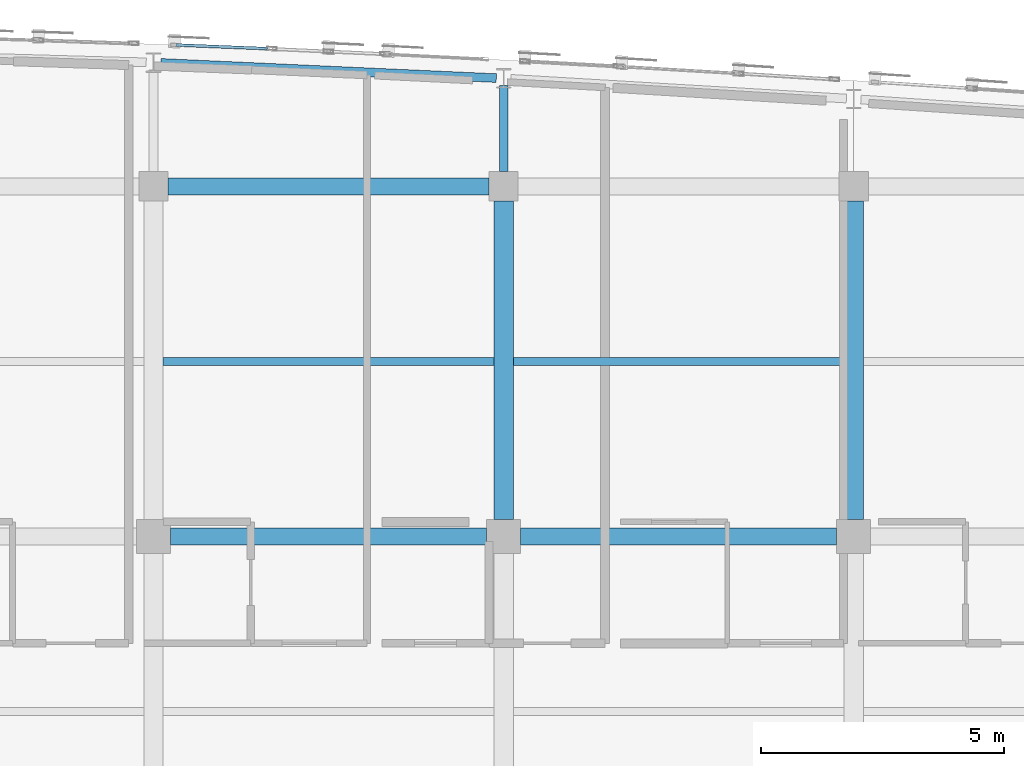
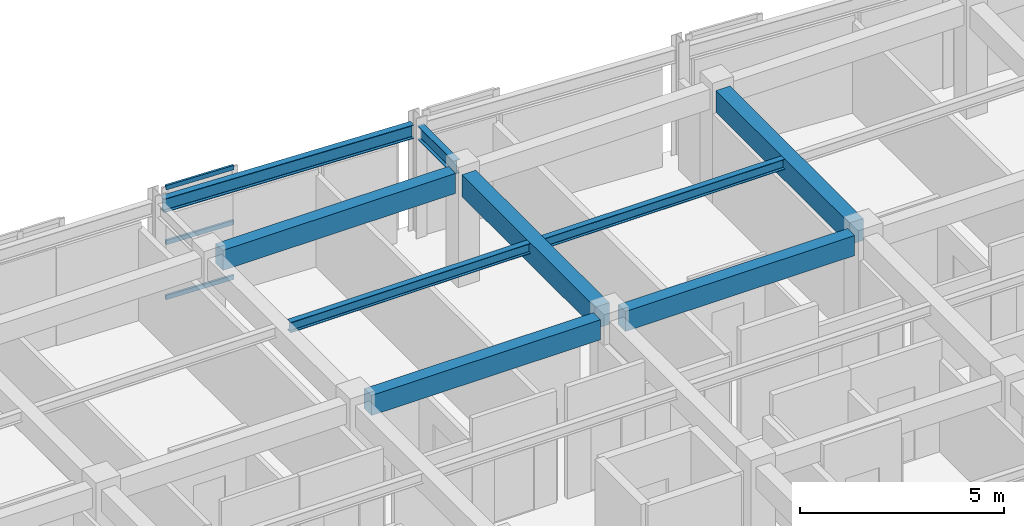
# One storey, part 31 of 73: 9 beams, 3 members, 1 element without a shape of its own.
"""IFC4 building model written with IfcOpenShell, lengths in metres."""

from ifc_helpers import new_model, si_unit, direction, frame, origin, origin_2d, place, context, subcontext, project, spatial, rectangle, hollow_rectangle, i_section, extrude, material, layer, layer_set, material_profile, profile_set, type_object, element, aggregate, save


model = new_model("IFC4")

# Units and contexts
model_context = context("Model", 3, precision=1e-05, world=origin(), true_north=direction((0.0, 1.0)))
body_context = subcontext(model_context, "Body", "Model", "MODEL_VIEW")
ifc_project = project(units=[si_unit("LENGTHUNIT", "METRE"), si_unit("AREAUNIT", "SQUARE_METRE"), si_unit("VOLUMEUNIT", "CUBIC_METRE"), si_unit("PLANEANGLEUNIT", "RADIAN"), si_unit("MASSUNIT", "GRAM", prefix="KILO")], contexts=[model_context])

# Site, building, storey
site_placement = place(None, origin())
site = spatial("IfcSite", under=ifc_project, at=site_placement, CompositionType="ELEMENT")
building_placement = place(site_placement, origin())
building = spatial("IfcBuilding", under=site, at=building_placement, Name="Carrowvane Square Congress Hotel", CompositionType="ELEMENT")
storey_placement = place(building_placement, frame((0.0, 0.0, 19.199951171875)))
storey = spatial("IfcBuildingStorey", under=building, at=storey_placement, Name="L04", CompositionType="ELEMENT", Elevation=19.199951171875)

# Beams
ifc_material_1 = material(Name="Concrete C35/45", Category="concrete")
ifc_material_profile_1 = material_profile(ifc_material_1, rectangle(XDim=0.35009765625, YDim=0.60009765625, at=origin_2d()), Name="RC 350x600")
ifc_profile_set_1 = profile_set([ifc_material_profile_1], Name="Concrete C35/45")
beam_type_1 = type_object("IfcBeamType", Name="BM-RC-350x600", PredefinedType="BEAM", material=ifc_profile_set_1)
for number, where, z_axis, x_axis, name in (
    (1, (112.75, 106.199951171875, 3.050048828125), (1.0, 0.0, 0.0), (0.0, 1.0, 0.0), "L05 girder Q/15-16"),
    (2, (119.949951171875, 106.199951171875, 3.050048828125), (1.0, 0.0, 0.0), (0.0, 1.0, 0.0), "L05 girder Q/16-17"),
):
    element("IfcBeam", number, at=place(storey_placement, frame(where, z_axis=z_axis, x_axis=x_axis)), inside=storey, type_object=beam_type_1, Name=name, PredefinedType="BEAM", context=body_context, shape_type="SweptSolid", body=[
        extrude(rectangle(XDim=0.35009765625, YDim=0.60009765625, at=origin_2d()), origin(), (0.0, 0.0, 1.0), 6.5),
    ])
beam_1_placement = place(storey_placement, frame((112.699951171875, 113.39990234375, 3.050048828125), z_axis=(1.0, 0.0, 0.0), x_axis=(0.0, 1.0, 0.0)))
element("IfcBeam", 3, at=beam_1_placement, inside=storey, type_object=beam_type_1, Name="L05 girder R/15-16", PredefinedType="BEAM", context=body_context, shape_type="SweptSolid", body=[
    extrude(rectangle(XDim=0.35009765625, YDim=0.60009765625, at=origin_2d()), origin(), (0.0, 0.0, 1.0), 6.60009765625),
])
ifc_material_2 = material(Name="Concrete C35/45", Category="concrete")
ifc_material_profile_2 = material_profile(ifc_material_2, rectangle(XDim=0.39990234375, YDim=0.64990234375, at=origin_2d()), Name="RC 400x650")
ifc_profile_set_2 = profile_set([ifc_material_profile_2], Name="Concrete C35/45")
beam_type_2 = type_object("IfcBeamType", Name="BM-RC-400x650", PredefinedType="BEAM", material=ifc_profile_set_2)
for number, where, z_axis, x_axis, name in (
    (4, (119.60009765625, 106.550048828125, 3.025146484375), (0.0, 1.0, 0.0), (-1.0, 0.0, 0.0), "L05 girder 16/Q-R"),
    (5, (126.800048828125, 106.550048828125, 3.025146484375), (0.0, 1.0, 0.0), (-1.0, 0.0, 0.0), "L05 girder 17/Q-R"),
):
    element("IfcBeam", number, at=place(storey_placement, frame(where, z_axis=z_axis, x_axis=x_axis)), inside=storey, type_object=beam_type_2, Name=name, PredefinedType="BEAM", context=body_context, shape_type="SweptSolid", body=[
        extrude(rectangle(XDim=0.39990234375, YDim=0.64990234375, at=origin_2d()), origin(), (0.0, 0.0, 1.0), 6.550048828125),
    ])
ifc_material_3 = material(Name="Steel S355", Category="steel")
ifc_material_profile_3 = material_profile(ifc_material_3, i_section(OverallWidth=0.165771484375, OverallDepth=0.306640625, WebThickness=0.006591796875, FlangeThickness=0.01171875, FilletRadius=0.0087890625, at=origin_2d()), Name="UKB 305x165x46")
ifc_profile_set_3 = profile_set([ifc_material_profile_3], Name="Steel S355")
beam_type_3 = type_object("IfcBeamType", Name="BM-ST-UKB305", PredefinedType="JOIST", material=ifc_profile_set_3)
beam_2_placement = place(storey_placement, frame((112.60009765625, 109.800048828125, 3.19677734375), z_axis=(1.0, 0.0, 0.0), x_axis=(0.0, 1.0, 0.0)))
element("IfcBeam", 6, at=beam_2_placement, inside=storey, type_object=beam_type_3, Name="L05 secondary joist 15-16", PredefinedType="JOIST", context=body_context, shape_type="SweptSolid", body=[
    extrude(i_section(OverallWidth=0.165771484375, OverallDepth=0.306640625, WebThickness=0.006591796875, FlangeThickness=0.01171875, FilletRadius=0.0087890625, at=origin_2d()), origin(), (0.0, 0.0, 1.0), 6.7998046875),
])
beam_3_placement = place(storey_placement, frame((119.800048828125, 109.800048828125, 3.19677734375), z_axis=(1.0, 0.0, 0.0), x_axis=(0.0, 1.0, 0.0)))
element("IfcBeam", 7, at=beam_3_placement, inside=storey, type_object=beam_type_3, Name="L05 secondary joist 16-17", PredefinedType="JOIST", context=body_context, shape_type="SweptSolid", body=[
    extrude(i_section(OverallWidth=0.165771484375, OverallDepth=0.306640625, WebThickness=0.006591796875, FlangeThickness=0.01171875, FilletRadius=0.0087890625, at=origin_2d()), origin(), (0.0, 0.0, 1.0), 6.800048828125),
])
ifc_material_4 = material(Name="Steel S355", Category="steel")
ifc_material_profile_4 = material_profile(ifc_material_4, i_section(OverallWidth=0.1787109375, OverallDepth=0.409423828125, WebThickness=0.0087890625, FlangeThickness=0.014404296875, FilletRadius=0.01025390625, at=origin_2d()), Name="UKB 406x178x67")
ifc_profile_set_4 = profile_set([ifc_material_profile_4], Name="Steel S355")
beam_type_4 = type_object("IfcBeamType", Name="BM-ST-UKB406", PredefinedType="BEAM", material=ifc_profile_set_4)
beam_4_placement = place(storey_placement, frame((112.5498046875, 115.937255859375, 3.145263671875), z_axis=(0.998974507316, -0.045276193882, 0.0), x_axis=(0.045276193882, 0.998974507316, 0.0)))
element("IfcBeam", 8, at=beam_4_placement, inside=storey, type_object=beam_type_4, Name="L05 curved north spandrel", PredefinedType="BEAM", context=body_context, shape_type="SweptSolid", body=[
    extrude(i_section(OverallWidth=0.1787109375, OverallDepth=0.409423828125, WebThickness=0.0087890625, FlangeThickness=0.014404296875, FilletRadius=0.01025390625, at=origin_2d()), origin(), (0.0, 0.0, 1.0), 6.907470703125),
])
beam_5_placement = place(storey_placement, frame((119.60009765625, 113.699951171875, 3.145263671875), z_axis=(0.0, 1.0, 0.0), x_axis=(-1.0, 0.0, 0.0)))
element("IfcBeam", 9, at=beam_5_placement, inside=storey, type_object=beam_type_4, Name="L05 radial north beam 16", PredefinedType="BEAM", context=body_context, shape_type="SweptSolid", body=[
    extrude(i_section(OverallWidth=0.1787109375, OverallDepth=0.409423828125, WebThickness=0.0087890625, FlangeThickness=0.014404296875, FilletRadius=0.01025390625, at=origin_2d()), origin(), (0.0, 0.0, 1.0), 1.767578125),
])

# Curtain wall, members
ifc_material_5 = material(Name="Anodised aluminium", Category="aluminium")
ifc_layer = layer(ifc_material_5, 0.23388671875)
ifc_layer_set = layer_set([ifc_layer], Name="Anodised aluminium")
curtain_wall_type = type_object("IfcCurtainWallType", Name="CW-SYS-7", PredefinedType="NOTDEFINED", material=ifc_layer_set)
curtain_wall_placement = place(storey_placement, origin())
curtain_wall = element("IfcCurtainWall", 10, at=curtain_wall_placement, inside=storey, type_object=curtain_wall_type, Name="L04 unitised curtain wall 278", PredefinedType="NOTDEFINED")
ifc_material_6 = material(Name="Anodised aluminium", Category="aluminium")
ifc_material_profile_5 = material_profile(ifc_material_6, hollow_rectangle(XDim=0.06005859375, YDim=0.1298828125, WallThickness=0.00390625, at=origin_2d()), Name="CW-TR 60x130x4")
ifc_profile_set_5 = profile_set([ifc_material_profile_5], Name="Anodised aluminium")
member_type = type_object("IfcMemberType", Name="CW-TRN-1", PredefinedType="USERDEFINED", material=ifc_profile_set_5)
member_1_placement = place(storey_placement, frame((112.85888671875, 116.3056640625, 0.030029296875), z_axis=(0.999191609431, -0.040201090061, 0.0), x_axis=(0.040201090061, 0.999191609431, 0.0)))
member_1 = element("IfcMember", 11, at=member_1_placement, type_object=member_type, Name="CW-7 transom 1.1", ObjectType="TRANSOM", PredefinedType="USERDEFINED", context=body_context, shape_type="SweptSolid", body=[
    extrude(hollow_rectangle(XDim=0.06005859375, YDim=0.1298828125, WallThickness=0.00390625, at=origin_2d()), origin(), (0.0, 0.0, 1.0), 1.882568359375),
])
member_2_placement = place(storey_placement, frame((112.85888671875, 116.3056640625, 1.675048828125), z_axis=(0.999191609431, -0.040201090061, 0.0), x_axis=(0.040201090061, 0.999191609431, 0.0)))
member_2 = element("IfcMember", 12, at=member_2_placement, type_object=member_type, Name="CW-7 transom 1.2", ObjectType="TRANSOM", PredefinedType="USERDEFINED", context=body_context, shape_type="SweptSolid", body=[
    extrude(hollow_rectangle(XDim=0.06005859375, YDim=0.1298828125, WallThickness=0.00390625, at=origin_2d()), origin(), (0.0, 0.0, 1.0), 1.882568359375),
])
member_3_placement = place(storey_placement, frame((112.85888671875, 116.3056640625, 3.320068359375), z_axis=(0.999191609431, -0.040201090061, 0.0), x_axis=(0.040201090061, 0.999191609431, 0.0)))
member_3 = element("IfcMember", 13, at=member_3_placement, type_object=member_type, Name="CW-7 transom 1.3", ObjectType="TRANSOM", PredefinedType="USERDEFINED", context=body_context, shape_type="SweptSolid", body=[
    extrude(hollow_rectangle(XDim=0.06005859375, YDim=0.1298828125, WallThickness=0.00390625, at=origin_2d()), origin(), (0.0, 0.0, 1.0), 1.882568359375),
])
aggregate(curtain_wall, [member_1, member_2, member_3])

save(model, "model.ifc")
